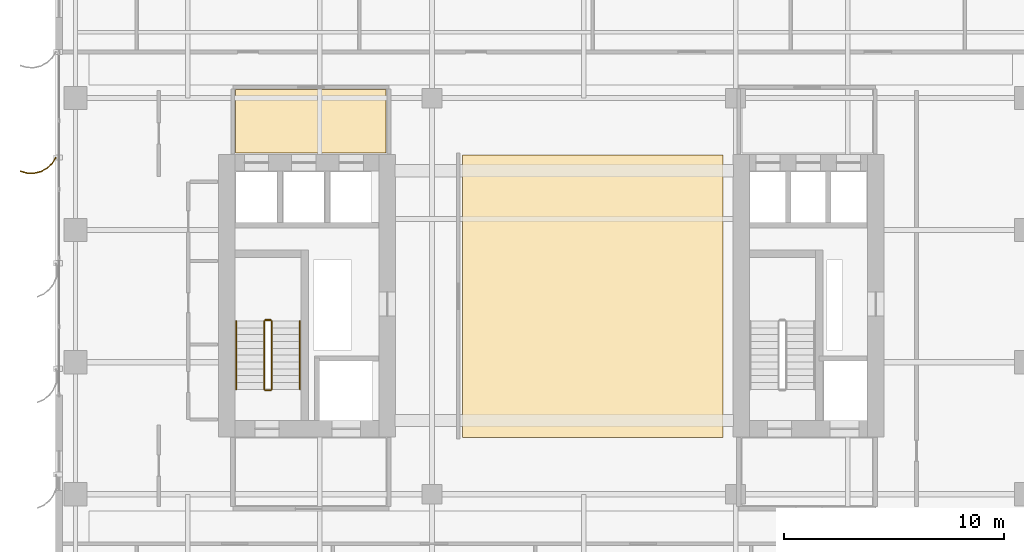
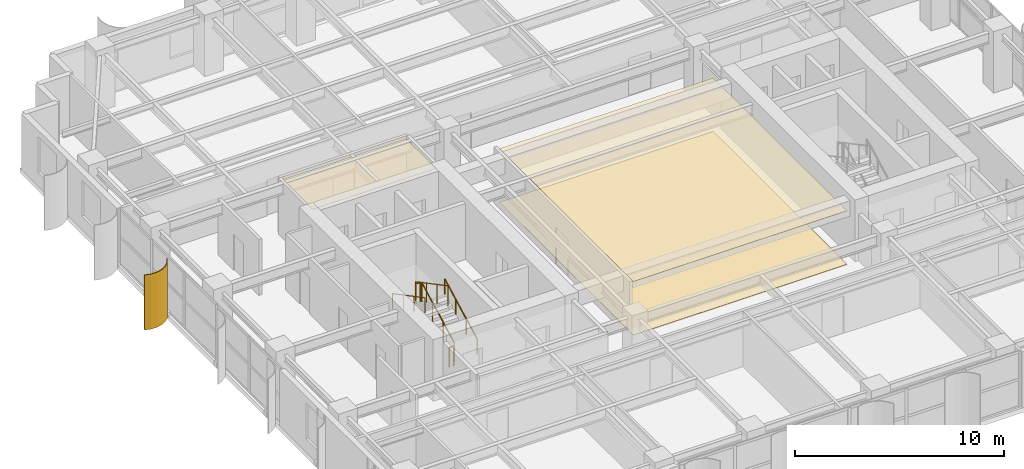
# One storey, part 26 of 28: 6 railings, 3 coverings, 1 shading device.
"""IFC4 building model written with IfcOpenShell, lengths in metres."""

from ifc_helpers import new_model, si_unit, direction, frame, origin, origin_2d, place, context, subcontext, project, spatial, polyline, circle, outline, extrude, source, transform, mapped, material, layer, layer_set, type_object, element, save


model = new_model("IFC4")

# Units and contexts
model_context = context("Model", 3, precision=1e-05, world=origin(), true_north=direction((0.0, 1.0)))
body_context = subcontext(model_context, "Body", "Model", "MODEL_VIEW")
ifc_project = project(units=[si_unit("LENGTHUNIT", "METRE"), si_unit("AREAUNIT", "SQUARE_METRE"), si_unit("VOLUMEUNIT", "CUBIC_METRE"), si_unit("PLANEANGLEUNIT", "RADIAN"), si_unit("MASSUNIT", "GRAM", prefix="KILO")], contexts=[model_context])

# Site, building, storey
site_placement = place(None, origin())
site = spatial("IfcSite", under=ifc_project, at=site_placement, CompositionType="ELEMENT")
building_placement = place(site_placement, origin())
building = spatial("IfcBuilding", under=site, at=building_placement, Name="Khoralis Quay Care Tower", CompositionType="ELEMENT")
storey_placement = place(building_placement, frame((0.0, 0.0, 144.89990234375)))
storey = spatial("IfcBuildingStorey", under=building, at=storey_placement, Name="L38", CompositionType="ELEMENT", Elevation=144.89990234375)

# Coverings
ifc_material_1 = material(Name="Mineral-fibre acoustic ceiling tile")
ifc_layer_1 = layer(ifc_material_1, 0.01806640625)
ifc_layer_set_1 = layer_set([ifc_layer_1], Name="Mineral-fibre acoustic ceiling tile")
covering_type_1 = type_object("IfcCoveringType", Name="COV-CEIL-AC18", PredefinedType="CEILING", material=ifc_layer_set_1)
covering_1_placement = place(storey_placement, frame((0.0, 0.0, 3.132080078125)))
element("IfcCovering", 1, at=covering_1_placement, inside=storey, type_object=covering_type_1, Name="Suspended Acoustic Ceiling SP-L38-LLOB-W", PredefinedType="CEILING", context=body_context, shape_type="SweptSolid", body=[
    extrude(outline(polyline([(8.179931640625, 27.5), (15.02001953125, 27.5), (15.02001953125, 30.389892578125), (8.179931640625, 30.389892578125), (8.179931640625, 27.5)])), origin(), (0.0, 0.0, 1.0), 0.01806640625),
])
covering_2_placement = place(storey_placement, frame((0.0, 0.0, 3.132080078125)))
element("IfcCovering", 2, at=covering_2_placement, inside=storey, type_object=covering_type_1, Name="Suspended Acoustic Ceiling SP-L38-SKYLNG", PredefinedType="CEILING", context=body_context, shape_type="SweptSolid", body=[
    extrude(outline(polyline([(18.47998046875, 14.580078125), (30.320068359375, 14.580078125), (30.320068359375, 27.419921875), (18.47998046875, 27.419921875), (18.47998046875, 14.580078125)])), origin(), (0.0, 0.0, 1.0), 0.01806640625),
])
ifc_material_2 = material(Name="Porcelain and non-slip vinyl flooring")
ifc_layer_2 = layer(ifc_material_2, 0.02001953125)
ifc_layer_set_2 = layer_set([ifc_layer_2], Name="Porcelain and non-slip vinyl flooring")
covering_type_2 = type_object("IfcCoveringType", Name="COV-FLOOR-20", PredefinedType="FLOORING", material=ifc_layer_set_2)
covering_3_placement = place(storey_placement, origin())
element("IfcCovering", 3, at=covering_3_placement, inside=storey, type_object=covering_type_2, Name="Resilient Healthcare Flooring SP-L38-SKYLNG", PredefinedType="FLOORING", context=body_context, shape_type="SweptSolid", body=[
    extrude(outline(polyline([(18.47998046875, 14.580078125), (30.320068359375, 14.580078125), (30.320068359375, 27.419921875), (18.47998046875, 27.419921875), (18.47998046875, 14.580078125)])), origin(), (0.0, 0.0, 1.0), 0.02001953125),
])

# Railings
ifc_material_3 = material(Name="Brushed stainless steel", Category="steel")
railing_type_1 = type_object("IfcRailingType", Name="RL-GUARD-1150", PredefinedType="GUARDRAIL", material=ifc_material_3)
railing_1_placement = place(storey_placement, frame((9.820068359375, 16.77001953125, 0.163818359375)))
element("IfcRailing", 4, at=railing_1_placement, inside=storey, type_object=railing_type_1, Name="L38 ST-T1 stair guard 1", PredefinedType="GUARDRAIL", context=body_context, shape_type="SweptSolid", body=[
    extrude(circle(Radius=0.02392578125, at=origin_2d()), frame((0.0, 0.0, 1.1259765625), z_axis=(0.0, 0.884376766648, 0.46677375099), x_axis=(-1.0, 0.0, 0.0)), (0.0, 0.0, 1.0), 3.50537109375),
    extrude(circle(Radius=0.02099609375, at=origin_2d()), origin(), (0.0, 0.0, 1.0), 1.101806640625),
    extrude(circle(Radius=0.02099609375, at=origin_2d()), frame((0.0, 1.033447265625, 0.54541015625)), (0.0, 0.0, 1.0), 1.101806640625),
    extrude(circle(Radius=0.02099609375, at=origin_2d()), frame((0.0, 2.066650390625, 1.0908203125)), (0.0, 0.0, 1.0), 1.101806640625),
    extrude(circle(Radius=0.02099609375, at=origin_2d()), frame((0.0, 3.10009765625, 1.63623046875)), (0.0, 0.0, 1.0), 1.101806640625),
])
railing_2_placement = place(storey_placement, frame((9.77001953125, 19.919921875, 1.800048828125)))
element("IfcRailing", 5, at=railing_2_placement, inside=storey, type_object=railing_type_1, Name="L38 ST-T1 stair guard 2", PredefinedType="GUARDRAIL", context=body_context, shape_type="SweptSolid", body=[
    extrude(circle(Radius=0.02392578125, at=origin_2d()), frame((0.0, 0.0, 1.1259765625), z_axis=(-1.0, 0.0, 0.0), x_axis=(0.0, -1.0, 0.0)), (0.0, 0.0, 1.0), 0.239990234375),
    extrude(circle(Radius=0.02099609375, at=origin_2d()), origin(), (0.0, 0.0, 1.0), 1.101806640625),
    extrude(circle(Radius=0.02099609375, at=origin_2d()), frame((-0.239990234375, 0.0, 0.0)), (0.0, 0.0, 1.0), 1.101806640625),
])
railing_3_placement = place(storey_placement, frame((9.47998046875, 19.8701171875, 1.963623046875)))
element("IfcRailing", 6, at=railing_3_placement, inside=storey, type_object=railing_type_1, Name="L38 ST-T1 stair guard 3", PredefinedType="GUARDRAIL", context=body_context, shape_type="SweptSolid", body=[
    extrude(circle(Radius=0.02392578125, at=origin_2d()), frame((0.0, 0.0, 1.1259765625), z_axis=(0.0, -0.884348015382, 0.466828220752), x_axis=(1.0, 0.0, 0.0)), (0.0, 0.0, 1.0), 3.505615234375),
    extrude(circle(Radius=0.02099609375, at=origin_2d()), origin(), (0.0, 0.0, 1.0), 1.101806640625),
    extrude(circle(Radius=0.02099609375, at=origin_2d()), frame((0.0, -1.033447265625, 0.54541015625)), (0.0, 0.0, 1.0), 1.101806640625),
    extrude(circle(Radius=0.02099609375, at=origin_2d()), frame((0.0, -2.066650390625, 1.091064453125)), (0.0, 0.0, 1.0), 1.101806640625),
    extrude(circle(Radius=0.02099609375, at=origin_2d()), frame((0.0, -3.10009765625, 1.636474609375)), (0.0, 0.0, 1.0), 1.101806640625),
])
railing_4_placement = place(storey_placement, frame((9.77001953125, 16.719970703125, 0.0)))
element("IfcRailing", 7, at=railing_4_placement, inside=storey, type_object=railing_type_1, Name="L38 ST-T1 stair guard 4", PredefinedType="GUARDRAIL", context=body_context, shape_type="SweptSolid", body=[
    extrude(circle(Radius=0.02392578125, at=origin_2d()), frame((0.0, 0.0, 1.1259765625), z_axis=(-1.0, 0.0, 0.0), x_axis=(0.0, -1.0, 0.0)), (0.0, 0.0, 1.0), 0.239990234375),
    extrude(circle(Radius=0.02099609375, at=origin_2d()), origin(), (0.0, 0.0, 1.0), 1.101806640625),
    extrude(circle(Radius=0.02099609375, at=origin_2d()), frame((-0.239990234375, 0.0, 0.0)), (0.0, 0.0, 1.0), 1.101806640625),
])
railing_type_2 = type_object("IfcRailingType", Name="RL-HAND-900", PredefinedType="HANDRAIL", material=ifc_material_3)
railing_5_placement = place(storey_placement, frame((11.10009765625, 16.77001953125, 0.163818359375)))
element("IfcRailing", 8, at=railing_5_placement, inside=storey, type_object=railing_type_2, Name="L38 ST-T1 stair handrail 1", PredefinedType="HANDRAIL", context=body_context, shape_type="SweptSolid", body=[
    extrude(circle(Radius=0.02392578125, at=origin_2d()), frame((0.0, 0.0, 0.8759765625), z_axis=(0.0, 0.884376766648, 0.46677375099), x_axis=(-1.0, 0.0, 0.0)), (0.0, 0.0, 1.0), 3.50537109375),
    extrude(circle(Radius=0.02099609375, at=origin_2d()), origin(), (0.0, 0.0, 1.0), 0.851806640625),
    extrude(circle(Radius=0.02099609375, at=origin_2d()), frame((0.0, 1.033447265625, 0.54541015625)), (0.0, 0.0, 1.0), 0.851806640625),
    extrude(circle(Radius=0.02099609375, at=origin_2d()), frame((0.0, 2.066650390625, 1.0908203125)), (0.0, 0.0, 1.0), 0.851806640625),
    extrude(circle(Radius=0.02099609375, at=origin_2d()), frame((0.0, 3.10009765625, 1.63623046875)), (0.0, 0.0, 1.0), 0.851806640625),
])
railing_6_placement = place(storey_placement, frame((8.199951171875, 19.8701171875, 1.963623046875)))
element("IfcRailing", 9, at=railing_6_placement, inside=storey, type_object=railing_type_2, Name="L38 ST-T1 stair handrail 2", PredefinedType="HANDRAIL", context=body_context, shape_type="SweptSolid", body=[
    extrude(circle(Radius=0.02392578125, at=origin_2d()), frame((0.0, 0.0, 0.8759765625), z_axis=(0.0, -0.884348015382, 0.466828220752), x_axis=(1.0, 0.0, 0.0)), (0.0, 0.0, 1.0), 3.505615234375),
    extrude(circle(Radius=0.02099609375, at=origin_2d()), origin(), (0.0, 0.0, 1.0), 0.851806640625),
    extrude(circle(Radius=0.02099609375, at=origin_2d()), frame((0.0, -1.033447265625, 0.54541015625)), (0.0, 0.0, 1.0), 0.851806640625),
    extrude(circle(Radius=0.02099609375, at=origin_2d()), frame((0.0, -2.066650390625, 1.091064453125)), (0.0, 0.0, 1.0), 0.851806640625),
    extrude(circle(Radius=0.02099609375, at=origin_2d()), frame((0.0, -3.10009765625, 1.636474609375)), (0.0, 0.0, 1.0), 0.851806640625),
])

# Shading device
ifc_material_4 = material(Name="Brushed pale anodised aluminium", Category="aluminium")
ifc_layer_3 = layer(ifc_material_4, 0.044921875)
ifc_layer_set_3 = layer_set([ifc_layer_3], Name="Brushed pale anodised aluminium")
shading_device_type = type_object("IfcShadingDeviceType", Name="SHD-FIN-1250", PredefinedType="USERDEFINED", material=ifc_layer_set_3)
shared_shape = source(origin(), body_context, "Body", "SweptSolid", [
    extrude(outline(polyline([(0.0, 0.0), (0.17041015625, 0.2783203125), (0.4072265625, 0.5029296875), (0.694091796875, 0.658447265625), (1.01123046875, 0.734619140625), (1.33740234375, 0.72607421875), (1.650390625, 0.633544921875), (1.632080078125, 0.59228515625), (1.330322265625, 0.681640625), (1.015869140625, 0.68994140625), (0.710205078125, 0.616455078125), (0.43359375, 0.466552734375), (0.20556640625, 0.25), (0.041015625, -0.018310546875), (0.0, 0.0)])), origin(), (0.0, 0.0, 1.0), 3.219970703125),
])
shading_device_placement = place(storey_placement, frame((0.030029296875, 27.300048828125, 0.02001953125), z_axis=(0.0, 0.0, 1.0), x_axis=(-1.0, 0.0, 0.0)))
element("IfcShadingDevice", 10, at=shading_device_placement, inside=storey, type_object=shading_device_type, Name="L38 Curved Solar Fin P1E15-03", ObjectType="FIN", PredefinedType="USERDEFINED", context=body_context, shape_type="MappedRepresentation", body=[
    mapped(shared_shape, transform((0.0, 0.0, 0.0), scale=1.0)),
])

save(model, "model.ifc")
